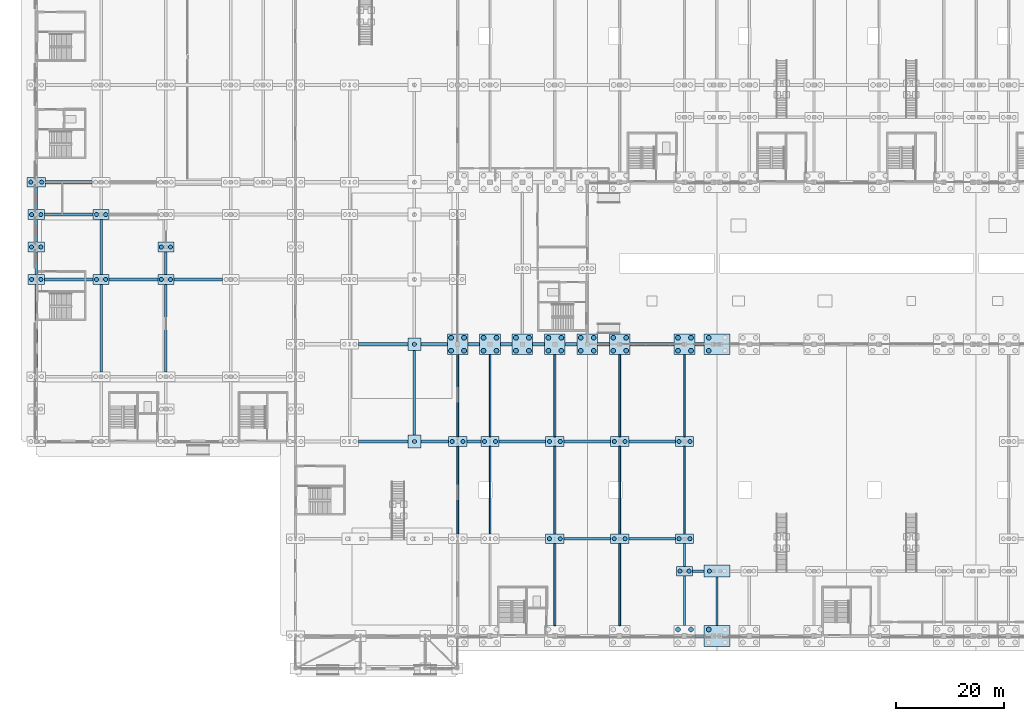
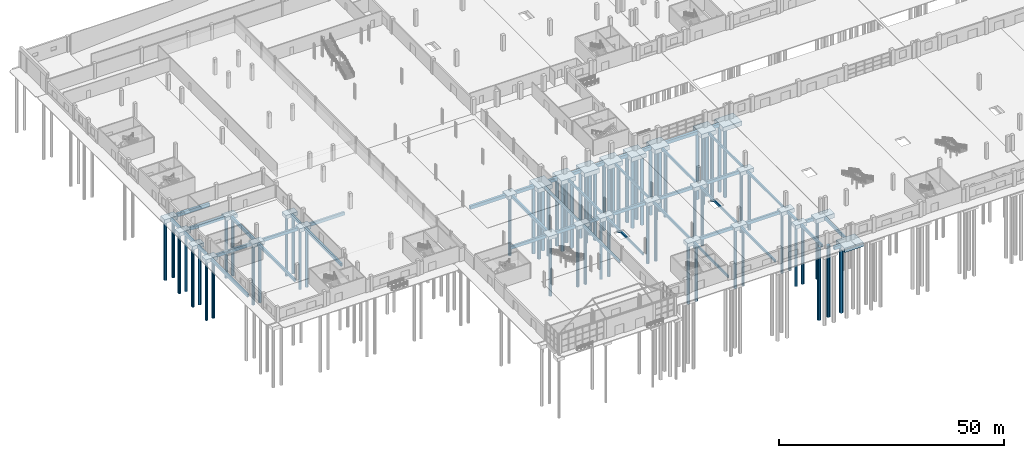
# One storey, part 2 of 77: 77 footings, 70 piles.
"""IFC4 building model written with IfcOpenShell, lengths in metres."""

from ifc_helpers import new_model, si_unit, direction, frame, origin, origin_2d, place, context, subcontext, project, spatial, rectangle, circle, extrude, material, material_profile, profile_set, type_object, element, save


model = new_model("IFC4")

# Units and contexts
model_context = context("Model", 3, precision=1e-05, world=origin(), true_north=direction((0.0, 1.0)))
body_context = subcontext(model_context, "Body", "Model", "MODEL_VIEW")
ifc_project = project(units=[si_unit("LENGTHUNIT", "METRE"), si_unit("AREAUNIT", "SQUARE_METRE"), si_unit("VOLUMEUNIT", "CUBIC_METRE"), si_unit("PLANEANGLEUNIT", "RADIAN"), si_unit("MASSUNIT", "GRAM", prefix="KILO")], contexts=[model_context])

# Site, building, storey
site_placement = place(None, origin())
site = spatial("IfcSite", under=ifc_project, at=site_placement, CompositionType="ELEMENT")
building_placement = place(site_placement, origin())
building = spatial("IfcBuilding", under=site, at=building_placement, Name="Zilviju Railside Exhibition Hall", CompositionType="ELEMENT")
storey_placement = place(building_placement, origin())
storey = spatial("IfcBuildingStorey", under=building, at=storey_placement, Name="L01", CompositionType="ELEMENT", Elevation=0.0)

# Footings
ifc_material = material(Name="Concrete C35/45", Category="concrete")
footing_type_1 = type_object("IfcFootingType", Name="CAP-PC-01", PredefinedType="PILE_CAP", material=ifc_material)
for number, where, z_axis, x_axis, name in (
    (1, (78.0, 54.0, -1.60009765625), (0.0, 0.0, 1.0), (1.0, 0.0, 0.0), "Pile Cap FND-CAP-070"),
    (2, (84.0, 54.0, -1.60009765625), (0.0, 0.0, 1.0), (1.0, 0.0, 0.0), "Pile Cap FND-CAP-071"),
    (3, (90.0, 54.0, -1.60009765625), (0.0, 0.0, 1.0), (1.0, 0.0, 0.0), "Pile Cap FND-CAP-072"),
    (4, (96.0, 54.0, -1.60009765625), (0.0, 0.0, 1.0), (1.0, 0.0, 0.0), "Pile Cap FND-CAP-073"),
    (5, (102.0, 54.0, -1.60009765625), (0.0, 0.0, 1.0), (1.0, 0.0, 0.0), "Pile Cap FND-CAP-074"),
    (6, (108.0, 54.0, -1.60009765625), (0.0, 0.0, 1.0), (1.0, 0.0, 0.0), "Pile Cap FND-CAP-075"),
    (7, (120.0, 54.0, -1.60009765625), (0.0, 0.0, 1.0), (1.0, 0.0, 0.0), "Pile Cap FND-CAP-076"),
):
    element("IfcFooting", number, at=place(storey_placement, frame(where, z_axis=z_axis, x_axis=x_axis)), inside=storey, type_object=footing_type_1, Name=name, PredefinedType="PILE_CAP", context=body_context, shape_type="SweptSolid", body=[
        extrude(rectangle(XDim=3.800048828125, YDim=3.800048828125, at=origin_2d()), origin(), (0.0, 0.0, 1.0), 1.199951171875),
    ])
footing_type_2 = type_object("IfcFootingType", Name="CAP-PC-03", PredefinedType="PILE_CAP", material=ifc_material)
for number, where, z_axis, x_axis, name in (
    (8, (96.0, 18.0, -1.4501953125), (0.0, 0.0, 1.0), (1.0, 0.0, 0.0), "Pile Cap FND-CAP-036"),
    (9, (108.0, 18.0, -1.4501953125), (0.0, 0.0, 1.0), (1.0, 0.0, 0.0), "Pile Cap FND-CAP-037"),
    (10, (120.0, 18.0, -1.4501953125), (0.0, 0.0, 1.0), (1.0, 0.0, 0.0), "Pile Cap FND-CAP-038"),
    (11, (78.0, 36.0, -1.4501953125), (0.0, 0.0, 1.0), (1.0, 0.0, 0.0), "Pile Cap FND-CAP-050"),
    (12, (84.0, 36.0, -1.4501953125), (0.0, 0.0, 1.0), (1.0, 0.0, 0.0), "Pile Cap FND-CAP-051"),
    (13, (96.0, 36.0, -1.4501953125), (0.0, 0.0, 1.0), (1.0, 0.0, 0.0), "Pile Cap FND-CAP-052"),
    (14, (108.0, 36.0, -1.4501953125), (0.0, 0.0, 1.0), (1.0, 0.0, 0.0), "Pile Cap FND-CAP-053"),
    (15, (120.0, 36.0, -1.4501953125), (0.0, 0.0, 1.0), (1.0, 0.0, 0.0), "Pile Cap FND-CAP-054"),
    (16, (0.0, 84.0, -1.4501953125), (0.0, 0.0, 1.0), (1.0, 0.0, 0.0), "Pile Cap FND-CAP-108"),
):
    element("IfcFooting", number, at=place(storey_placement, frame(where, z_axis=z_axis, x_axis=x_axis)), inside=storey, type_object=footing_type_2, Name=name, PredefinedType="PILE_CAP", context=body_context, shape_type="SweptSolid", body=[
        extrude(rectangle(XDim=3.39990234375, YDim=1.800048828125, at=origin_2d()), origin(), (0.0, 0.0, 1.0), 1.050048828125),
    ])
footing_type_3 = type_object("IfcFootingType", Name="CAP-PC-04", PredefinedType="PILE_CAP", material=ifc_material)
for number, where, z_axis, x_axis, name in (
    (17, (120.0, 12.0, -1.39990234375), (0.0, 0.0, 1.0), (1.0, 0.0, 0.0), "Pile Cap FND-CAP-023"),
    (18, (0.0, 66.0, -1.39990234375), (0.0, 0.0, 1.0), (1.0, 0.0, 0.0), "Pile Cap FND-CAP-087"),
    (19, (12.0, 66.0, -1.39990234375), (0.0, 0.0, 1.0), (1.0, 0.0, 0.0), "Pile Cap FND-CAP-088"),
    (20, (24.0, 66.0, -1.39990234375), (0.0, 0.0, 1.0), (1.0, 0.0, 0.0), "Pile Cap FND-CAP-089"),
    (21, (0.0, 72.0, -1.39990234375), (0.0, 0.0, 1.0), (1.0, 0.0, 0.0), "Pile Cap FND-CAP-097"),
    (22, (24.0, 72.0, -1.39990234375), (0.0, 0.0, 1.0), (1.0, 0.0, 0.0), "Pile Cap FND-CAP-098"),
    (23, (0.0, 78.0, -1.39990234375), (0.0, 0.0, 1.0), (1.0, 0.0, 0.0), "Pile Cap FND-CAP-100"),
    (24, (12.0, 78.0, -1.39990234375), (0.0, 0.0, 1.0), (1.0, 0.0, 0.0), "Pile Cap FND-CAP-101"),
):
    element("IfcFooting", number, at=place(storey_placement, frame(where, z_axis=z_axis, x_axis=x_axis)), inside=storey, type_object=footing_type_3, Name=name, PredefinedType="PILE_CAP", context=body_context, shape_type="SweptSolid", body=[
        extrude(rectangle(XDim=3.0, YDim=1.800048828125, at=origin_2d()), origin(), (0.0, 0.0, 1.0), 1.0),
    ])
footing_type_4 = type_object("IfcFootingType", Name="CAP-PC-06", PredefinedType="PILE_CAP", material=ifc_material)
for number, where, z_axis, x_axis, name in (
    (25, (126.0, 0.0, -1.60009765625), (0.0, 0.0, 1.0), (1.0, 0.0, 0.0), "Combined Pile Cap FND-CAP-013"),
    (26, (126.0, 54.0, -1.60009765625), (0.0, 0.0, 1.0), (1.0, 0.0, 0.0), "Combined Pile Cap FND-CAP-077"),
):
    element("IfcFooting", number, at=place(storey_placement, frame(where, z_axis=z_axis, x_axis=x_axis)), inside=storey, type_object=footing_type_4, Name=name, PredefinedType="PILE_CAP", context=body_context, shape_type="SweptSolid", body=[
        extrude(rectangle(XDim=4.800048828125, YDim=3.800048828125, at=origin_2d()), origin(), (0.0, 0.0, 1.0), 1.199951171875),
    ])
footing_type_5 = type_object("IfcFootingType", Name="CAP-PC-07", PredefinedType="PILE_CAP", material=ifc_material)
footing_1_placement = place(storey_placement, frame((126.0, 12.0, -1.550048828125), z_axis=(0.0, 0.0, 1.0), x_axis=(1.0, 0.0, 0.0)))
element("IfcFooting", 27, at=footing_1_placement, inside=storey, type_object=footing_type_5, Name="Combined Pile Cap FND-CAP-024", PredefinedType="PILE_CAP", context=body_context, shape_type="SweptSolid", body=[
    extrude(rectangle(XDim=4.800048828125, YDim=2.199951171875, at=origin_2d()), origin(), (0.0, 0.0, 1.0), 1.14990234375),
])
footing_type_6 = type_object("IfcFootingType", Name="CAP-PC-08", PredefinedType="PILE_CAP", material=ifc_material)
for number, where, z_axis, x_axis, name in (
    (28, (70.0, 36.0, -1.35009765625), (0.0, 0.0, 1.0), (1.0, 0.0, 0.0), "Pile Cap FND-CAP-049"),
    (29, (70.0, 54.0, -1.35009765625), (0.0, 0.0, 1.0), (1.0, 0.0, 0.0), "Pile Cap FND-CAP-069"),
):
    element("IfcFooting", number, at=place(storey_placement, frame(where, z_axis=z_axis, x_axis=x_axis)), inside=storey, type_object=footing_type_6, Name=name, PredefinedType="PILE_CAP", context=body_context, shape_type="SweptSolid", body=[
        extrude(rectangle(XDim=2.39990234375, YDim=2.39990234375, at=origin_2d()), origin(), (0.0, 0.0, 1.0), 0.949951171875),
    ])
ifc_material_profile_1 = material_profile(ifc_material, rectangle(XDim=0.60009765625, YDim=0.89990234375, at=origin_2d()), Name="TIE BEAM 600x900")
ifc_profile_set_1 = profile_set([ifc_material_profile_1], Name="Concrete C35/45")
footing_type_7 = type_object("IfcFootingType", Name="GB-GB-01", PredefinedType="FOOTING_BEAM", material=ifc_profile_set_1)
footing_2_placement = place(storey_placement, frame((121.89990234375, 0.0, -0.85009765625), z_axis=(1.0, 0.0, 0.0), x_axis=(0.0, 1.0, 0.0)))
element("IfcFooting", 30, at=footing_2_placement, inside=storey, type_object=footing_type_7, Name="Ground Tie Beam GB-0011", PredefinedType="FOOTING_BEAM", context=body_context, shape_type="SweptSolid", body=[
    extrude(rectangle(XDim=0.60009765625, YDim=0.89990234375, at=origin_2d()), origin(), (0.0, 0.0, 1.0), 1.7001953125),
])
footing_3_placement = place(storey_placement, frame((59.699951171875, 54.0, -0.85009765625), z_axis=(1.0, 0.0, 0.0), x_axis=(0.0, 1.0, 0.0)))
element("IfcFooting", 31, at=footing_3_placement, inside=storey, type_object=footing_type_7, Name="Ground Tie Beam GB-0057", PredefinedType="FOOTING_BEAM", context=body_context, shape_type="SweptSolid", body=[
    extrude(rectangle(XDim=0.60009765625, YDim=0.89990234375, at=origin_2d()), origin(), (0.0, 0.0, 1.0), 9.10009765625),
])
footing_4_placement = place(storey_placement, frame((71.199951171875, 54.0, -0.85009765625), z_axis=(1.0, 0.0, 0.0), x_axis=(0.0, 1.0, 0.0)))
element("IfcFooting", 32, at=footing_4_placement, inside=storey, type_object=footing_type_7, Name="Ground Tie Beam GB-0058", PredefinedType="FOOTING_BEAM", context=body_context, shape_type="SweptSolid", body=[
    extrude(rectangle(XDim=0.60009765625, YDim=0.89990234375, at=origin_2d()), origin(), (0.0, 0.0, 1.0), 4.900146484375),
])
for number, where, z_axis, x_axis, name in (
    (33, (79.89990234375, 54.0, -0.85009765625), (1.0, 0.0, 0.0), (0.0, 1.0, 0.0), "Ground Tie Beam GB-0059"),
    (34, (85.89990234375, 54.0, -0.85009765625), (1.0, 0.0, 0.0), (0.0, 1.0, 0.0), "Ground Tie Beam GB-0060"),
    (35, (91.89990234375, 54.0, -0.85009765625), (1.0, 0.0, 0.0), (0.0, 1.0, 0.0), "Ground Tie Beam GB-0061"),
    (36, (97.89990234375, 54.0, -0.85009765625), (1.0, 0.0, 0.0), (0.0, 1.0, 0.0), "Ground Tie Beam GB-0062"),
    (37, (103.89990234375, 54.0, -0.85009765625), (1.0, 0.0, 0.0), (0.0, 1.0, 0.0), "Ground Tie Beam GB-0063"),
):
    element("IfcFooting", number, at=place(storey_placement, frame(where, z_axis=z_axis, x_axis=x_axis)), inside=storey, type_object=footing_type_7, Name=name, PredefinedType="FOOTING_BEAM", context=body_context, shape_type="SweptSolid", body=[
        extrude(rectangle(XDim=0.60009765625, YDim=0.89990234375, at=origin_2d()), origin(), (0.0, 0.0, 1.0), 2.2001953125),
    ])
footing_5_placement = place(storey_placement, frame((109.89990234375, 54.0, -0.85009765625), z_axis=(1.0, 0.0, 0.0), x_axis=(0.0, 1.0, 0.0)))
element("IfcFooting", 38, at=footing_5_placement, inside=storey, type_object=footing_type_7, Name="Ground Tie Beam GB-0064", PredefinedType="FOOTING_BEAM", context=body_context, shape_type="SweptSolid", body=[
    extrude(rectangle(XDim=0.60009765625, YDim=0.89990234375, at=origin_2d()), origin(), (0.0, 0.0, 1.0), 8.2001953125),
])
footing_6_placement = place(storey_placement, frame((121.89990234375, 54.0, -0.85009765625), z_axis=(1.0, 0.0, 0.0), x_axis=(0.0, 1.0, 0.0)))
element("IfcFooting", 39, at=footing_6_placement, inside=storey, type_object=footing_type_7, Name="Ground Tie Beam GB-0065", PredefinedType="FOOTING_BEAM", context=body_context, shape_type="SweptSolid", body=[
    extrude(rectangle(XDim=0.60009765625, YDim=0.89990234375, at=origin_2d()), origin(), (0.0, 0.0, 1.0), 1.7001953125),
])
footing_7_placement = place(storey_placement, frame((1.699951171875, 84.0, -0.85009765625), z_axis=(1.0, 0.0, 0.0), x_axis=(0.0, 1.0, 0.0)))
element("IfcFooting", 40, at=footing_7_placement, inside=storey, type_object=footing_type_7, Name="Ground Tie Beam GB-0090", PredefinedType="FOOTING_BEAM", context=body_context, shape_type="SweptSolid", body=[
    extrude(rectangle(XDim=0.60009765625, YDim=0.89990234375, at=origin_2d()), origin(), (0.0, 0.0, 1.0), 8.60009765625),
])
ifc_material_profile_2 = material_profile(ifc_material, rectangle(XDim=0.5, YDim=0.85009765625, at=origin_2d()), Name="TIE BEAM 500x850")
ifc_profile_set_2 = profile_set([ifc_material_profile_2], Name="Concrete C35/45")
footing_type_8 = type_object("IfcFootingType", Name="GB-GB-02", PredefinedType="FOOTING_BEAM", material=ifc_profile_set_2)
footing_8_placement = place(storey_placement, frame((121.5, 12.0, -0.824951171875), z_axis=(1.0, 0.0, 0.0), x_axis=(0.0, 1.0, 0.0)))
element("IfcFooting", 41, at=footing_8_placement, inside=storey, type_object=footing_type_8, Name="Ground Tie Beam GB-0021", PredefinedType="FOOTING_BEAM", context=body_context, shape_type="SweptSolid", body=[
    extrude(rectangle(XDim=0.5, YDim=0.85009765625, at=origin_2d()), origin(), (0.0, 0.0, 1.0), 2.10009765625),
])
for number, where, z_axis, x_axis, name in (
    (42, (97.699951171875, 18.0, -0.824951171875), (1.0, 0.0, 0.0), (0.0, 1.0, 0.0), "Ground Tie Beam GB-0033"),
    (43, (109.699951171875, 18.0, -0.824951171875), (1.0, 0.0, 0.0), (0.0, 1.0, 0.0), "Ground Tie Beam GB-0034"),
):
    element("IfcFooting", number, at=place(storey_placement, frame(where, z_axis=z_axis, x_axis=x_axis)), inside=storey, type_object=footing_type_8, Name=name, PredefinedType="FOOTING_BEAM", context=body_context, shape_type="SweptSolid", body=[
        extrude(rectangle(XDim=0.5, YDim=0.85009765625, at=origin_2d()), origin(), (0.0, 0.0, 1.0), 8.60009765625),
    ])
footing_9_placement = place(storey_placement, frame((59.699951171875, 36.0, -0.824951171875), z_axis=(1.0, 0.0, 0.0), x_axis=(0.0, 1.0, 0.0)))
element("IfcFooting", 44, at=footing_9_placement, inside=storey, type_object=footing_type_8, Name="Ground Tie Beam GB-0043", PredefinedType="FOOTING_BEAM", context=body_context, shape_type="SweptSolid", body=[
    extrude(rectangle(XDim=0.5, YDim=0.85009765625, at=origin_2d()), origin(), (0.0, 0.0, 1.0), 9.10009765625),
])
footing_10_placement = place(storey_placement, frame((71.199951171875, 36.0, -0.824951171875), z_axis=(1.0, 0.0, 0.0), x_axis=(0.0, 1.0, 0.0)))
element("IfcFooting", 45, at=footing_10_placement, inside=storey, type_object=footing_type_8, Name="Ground Tie Beam GB-0044", PredefinedType="FOOTING_BEAM", context=body_context, shape_type="SweptSolid", body=[
    extrude(rectangle(XDim=0.5, YDim=0.85009765625, at=origin_2d()), origin(), (0.0, 0.0, 1.0), 5.10009765625),
])
footing_11_placement = place(storey_placement, frame((79.699951171875, 36.0, -0.824951171875), z_axis=(1.0, 0.0, 0.0), x_axis=(0.0, 1.0, 0.0)))
element("IfcFooting", 46, at=footing_11_placement, inside=storey, type_object=footing_type_8, Name="Ground Tie Beam GB-0045", PredefinedType="FOOTING_BEAM", context=body_context, shape_type="SweptSolid", body=[
    extrude(rectangle(XDim=0.5, YDim=0.85009765625, at=origin_2d()), origin(), (0.0, 0.0, 1.0), 2.60009765625),
])
for number, where, z_axis, x_axis, name in (
    (47, (85.699951171875, 36.0, -0.824951171875), (1.0, 0.0, 0.0), (0.0, 1.0, 0.0), "Ground Tie Beam GB-0046"),
    (48, (97.699951171875, 36.0, -0.824951171875), (1.0, 0.0, 0.0), (0.0, 1.0, 0.0), "Ground Tie Beam GB-0047"),
    (49, (109.699951171875, 36.0, -0.824951171875), (1.0, 0.0, 0.0), (0.0, 1.0, 0.0), "Ground Tie Beam GB-0048"),
):
    element("IfcFooting", number, at=place(storey_placement, frame(where, z_axis=z_axis, x_axis=x_axis)), inside=storey, type_object=footing_type_8, Name=name, PredefinedType="FOOTING_BEAM", context=body_context, shape_type="SweptSolid", body=[
        extrude(rectangle(XDim=0.5, YDim=0.85009765625, at=origin_2d()), origin(), (0.0, 0.0, 1.0), 8.60009765625),
    ])
for number, where, z_axis, x_axis, name in (
    (50, (1.5, 66.0, -0.824951171875), (1.0, 0.0, 0.0), (0.0, 1.0, 0.0), "Ground Tie Beam GB-0075"),
    (51, (13.5, 66.0, -0.824951171875), (1.0, 0.0, 0.0), (0.0, 1.0, 0.0), "Ground Tie Beam GB-0076"),
    (52, (25.5, 66.0, -0.824951171875), (1.0, 0.0, 0.0), (0.0, 1.0, 0.0), "Ground Tie Beam GB-0077"),
    (53, (1.5, 78.0, -0.824951171875), (1.0, 0.0, 0.0), (0.0, 1.0, 0.0), "Ground Tie Beam GB-0083"),
):
    element("IfcFooting", number, at=place(storey_placement, frame(where, z_axis=z_axis, x_axis=x_axis)), inside=storey, type_object=footing_type_8, Name=name, PredefinedType="FOOTING_BEAM", context=body_context, shape_type="SweptSolid", body=[
        extrude(rectangle(XDim=0.5, YDim=0.85009765625, at=origin_2d()), origin(), (0.0, 0.0, 1.0), 9.0),
    ])
ifc_material_profile_3 = material_profile(ifc_material, rectangle(XDim=0.449951171875, YDim=0.800048828125, at=origin_2d()), Name="TIE BEAM 450x800")
ifc_profile_set_3 = profile_set([ifc_material_profile_3], Name="Concrete C35/45")
footing_type_9 = type_object("IfcFootingType", Name="GB-GB-03", PredefinedType="FOOTING_BEAM", material=ifc_profile_set_3)
footing_12_placement = place(storey_placement, frame((0.0, 48.89990234375, -0.800048828125), z_axis=(0.0, 1.0, 0.0), x_axis=(-1.0, 0.0, 0.0)))
element("IfcFooting", 54, at=footing_12_placement, inside=storey, type_object=footing_type_9, Name="Ground Tie Beam GB-0211", PredefinedType="FOOTING_BEAM", context=body_context, shape_type="SweptSolid", body=[
    extrude(rectangle(XDim=0.449951171875, YDim=0.800048828125, at=origin_2d()), origin(), (0.0, 0.0, 1.0), 16.2001953125),
])
for number, where, z_axis, x_axis, name in (
    (55, (0.0, 66.89990234375, -0.800048828125), (0.0, 1.0, 0.0), (-1.0, 0.0, 0.0), "Ground Tie Beam GB-0212"),
    (56, (0.0, 72.89990234375, -0.800048828125), (0.0, 1.0, 0.0), (-1.0, 0.0, 0.0), "Ground Tie Beam GB-0213"),
    (57, (0.0, 78.89990234375, -0.800048828125), (0.0, 1.0, 0.0), (-1.0, 0.0, 0.0), "Ground Tie Beam GB-0214"),
):
    element("IfcFooting", number, at=place(storey_placement, frame(where, z_axis=z_axis, x_axis=x_axis)), inside=storey, type_object=footing_type_9, Name=name, PredefinedType="FOOTING_BEAM", context=body_context, shape_type="SweptSolid", body=[
        extrude(rectangle(XDim=0.449951171875, YDim=0.800048828125, at=origin_2d()), origin(), (0.0, 0.0, 1.0), 4.2001953125),
    ])
footing_13_placement = place(storey_placement, frame((12.0, 48.89990234375, -0.800048828125), z_axis=(0.0, 1.0, 0.0), x_axis=(-1.0, 0.0, 0.0)))
element("IfcFooting", 58, at=footing_13_placement, inside=storey, type_object=footing_type_9, Name="Ground Tie Beam GB-0221", PredefinedType="FOOTING_BEAM", context=body_context, shape_type="SweptSolid", body=[
    extrude(rectangle(XDim=0.449951171875, YDim=0.800048828125, at=origin_2d()), origin(), (0.0, 0.0, 1.0), 16.2001953125),
])
footing_14_placement = place(storey_placement, frame((12.0, 66.89990234375, -0.800048828125), z_axis=(0.0, 1.0, 0.0), x_axis=(-1.0, 0.0, 0.0)))
element("IfcFooting", 59, at=footing_14_placement, inside=storey, type_object=footing_type_9, Name="Ground Tie Beam GB-0222", PredefinedType="FOOTING_BEAM", context=body_context, shape_type="SweptSolid", body=[
    extrude(rectangle(XDim=0.449951171875, YDim=0.800048828125, at=origin_2d()), origin(), (0.0, 0.0, 1.0), 10.2001953125),
])
footing_15_placement = place(storey_placement, frame((24.0, 48.89990234375, -0.800048828125), z_axis=(0.0, 1.0, 0.0), x_axis=(-1.0, 0.0, 0.0)))
element("IfcFooting", 60, at=footing_15_placement, inside=storey, type_object=footing_type_9, Name="Ground Tie Beam GB-0231", PredefinedType="FOOTING_BEAM", context=body_context, shape_type="SweptSolid", body=[
    extrude(rectangle(XDim=0.449951171875, YDim=0.800048828125, at=origin_2d()), origin(), (0.0, 0.0, 1.0), 16.2001953125),
])
footing_16_placement = place(storey_placement, frame((24.0, 66.89990234375, -0.800048828125), z_axis=(0.0, 1.0, 0.0), x_axis=(-1.0, 0.0, 0.0)))
element("IfcFooting", 61, at=footing_16_placement, inside=storey, type_object=footing_type_9, Name="Ground Tie Beam GB-0232", PredefinedType="FOOTING_BEAM", context=body_context, shape_type="SweptSolid", body=[
    extrude(rectangle(XDim=0.449951171875, YDim=0.800048828125, at=origin_2d()), origin(), (0.0, 0.0, 1.0), 4.2001953125),
])
footing_17_placement = place(storey_placement, frame((70.0, 37.199951171875, -0.800048828125), z_axis=(0.0, 1.0, 0.0), x_axis=(-1.0, 0.0, 0.0)))
element("IfcFooting", 62, at=footing_17_placement, inside=storey, type_object=footing_type_9, Name="Ground Tie Beam GB-0275", PredefinedType="FOOTING_BEAM", context=body_context, shape_type="SweptSolid", body=[
    extrude(rectangle(XDim=0.449951171875, YDim=0.800048828125, at=origin_2d()), origin(), (0.0, 0.0, 1.0), 15.60009765625),
])
ifc_material_profile_4 = material_profile(ifc_material, rectangle(XDim=0.39990234375, YDim=0.75, at=origin_2d()), Name="TIE BEAM 400x750")
ifc_profile_set_4 = profile_set([ifc_material_profile_4], Name="Concrete C35/45")
footing_type_10 = type_object("IfcFootingType", Name="GB-GB-04", PredefinedType="FOOTING_BEAM", material=ifc_profile_set_4)
footing_18_placement = place(storey_placement, frame((120.0, 1.89990234375, -0.77490234375), z_axis=(0.0, 1.0, 0.0), x_axis=(-1.0, 0.0, 0.0)))
element("IfcFooting", 63, at=footing_18_placement, inside=storey, type_object=footing_type_10, Name="Ground Tie Beam GB-0317", PredefinedType="FOOTING_BEAM", context=body_context, shape_type="SweptSolid", body=[
    extrude(rectangle(XDim=0.39990234375, YDim=0.75, at=origin_2d()), origin(), (0.0, 0.0, 1.0), 9.2001953125),
])
footing_19_placement = place(storey_placement, frame((120.0, 12.89990234375, -0.77490234375), z_axis=(0.0, 1.0, 0.0), x_axis=(-1.0, 0.0, 0.0)))
element("IfcFooting", 64, at=footing_19_placement, inside=storey, type_object=footing_type_10, Name="Ground Tie Beam GB-0318", PredefinedType="FOOTING_BEAM", context=body_context, shape_type="SweptSolid", body=[
    extrude(rectangle(XDim=0.39990234375, YDim=0.75, at=origin_2d()), origin(), (0.0, 0.0, 1.0), 4.2001953125),
])
footing_20_placement = place(storey_placement, frame((126.0, 1.89990234375, -0.77490234375), z_axis=(0.0, 1.0, 0.0), x_axis=(-1.0, 0.0, 0.0)))
element("IfcFooting", 65, at=footing_20_placement, inside=storey, type_object=footing_type_10, Name="Ground Tie Beam GB-0326", PredefinedType="FOOTING_BEAM", context=body_context, shape_type="SweptSolid", body=[
    extrude(rectangle(XDim=0.39990234375, YDim=0.75, at=origin_2d()), origin(), (0.0, 0.0, 1.0), 9.0),
])
ifc_material_profile_5 = material_profile(ifc_material, rectangle(XDim=0.35009765625, YDim=0.64990234375, at=origin_2d()), Name="TIE BEAM 350x650")
ifc_profile_set_5 = profile_set([ifc_material_profile_5], Name="Concrete C35/45")
footing_type_11 = type_object("IfcFootingType", Name="GB-GB-06", PredefinedType="FOOTING_BEAM", material=ifc_profile_set_5)
footing_21_placement = place(storey_placement, frame((78.0, 18.89990234375, -0.72509765625), z_axis=(0.0, 1.0, 0.0), x_axis=(-1.0, 0.0, 0.0)))
element("IfcFooting", 66, at=footing_21_placement, inside=storey, type_object=footing_type_11, Name="Ground Tie Beam GB-0284", PredefinedType="FOOTING_BEAM", context=body_context, shape_type="SweptSolid", body=[
    extrude(rectangle(XDim=0.35009765625, YDim=0.64990234375, at=origin_2d()), origin(), (0.0, 0.0, 1.0), 16.2001953125),
])
footing_22_placement = place(storey_placement, frame((78.0, 36.89990234375, -0.72509765625), z_axis=(0.0, 1.0, 0.0), x_axis=(-1.0, 0.0, 0.0)))
element("IfcFooting", 67, at=footing_22_placement, inside=storey, type_object=footing_type_11, Name="Ground Tie Beam GB-0285", PredefinedType="FOOTING_BEAM", context=body_context, shape_type="SweptSolid", body=[
    extrude(rectangle(XDim=0.35009765625, YDim=0.64990234375, at=origin_2d()), origin(), (0.0, 0.0, 1.0), 15.2001953125),
])
footing_23_placement = place(storey_placement, frame((84.0, 18.89990234375, -0.72509765625), z_axis=(0.0, 1.0, 0.0), x_axis=(-1.0, 0.0, 0.0)))
element("IfcFooting", 68, at=footing_23_placement, inside=storey, type_object=footing_type_11, Name="Ground Tie Beam GB-0293", PredefinedType="FOOTING_BEAM", context=body_context, shape_type="SweptSolid", body=[
    extrude(rectangle(XDim=0.35009765625, YDim=0.64990234375, at=origin_2d()), origin(), (0.0, 0.0, 1.0), 16.2001953125),
])
for number, where, z_axis, x_axis, name in (
    (69, (84.0, 36.89990234375, -0.72509765625), (0.0, 1.0, 0.0), (-1.0, 0.0, 0.0), "Ground Tie Beam GB-0294"),
    (70, (96.0, 1.89990234375, -0.72509765625), (0.0, 1.0, 0.0), (-1.0, 0.0, 0.0), "Ground Tie Beam GB-0301"),
):
    element("IfcFooting", number, at=place(storey_placement, frame(where, z_axis=z_axis, x_axis=x_axis)), inside=storey, type_object=footing_type_11, Name=name, PredefinedType="FOOTING_BEAM", context=body_context, shape_type="SweptSolid", body=[
        extrude(rectangle(XDim=0.35009765625, YDim=0.64990234375, at=origin_2d()), origin(), (0.0, 0.0, 1.0), 15.2001953125),
    ])
footing_24_placement = place(storey_placement, frame((96.0, 18.89990234375, -0.72509765625), z_axis=(0.0, 1.0, 0.0), x_axis=(-1.0, 0.0, 0.0)))
element("IfcFooting", 71, at=footing_24_placement, inside=storey, type_object=footing_type_11, Name="Ground Tie Beam GB-0302", PredefinedType="FOOTING_BEAM", context=body_context, shape_type="SweptSolid", body=[
    extrude(rectangle(XDim=0.35009765625, YDim=0.64990234375, at=origin_2d()), origin(), (0.0, 0.0, 1.0), 16.2001953125),
])
for number, where, z_axis, x_axis, name in (
    (72, (96.0, 36.89990234375, -0.72509765625), (0.0, 1.0, 0.0), (-1.0, 0.0, 0.0), "Ground Tie Beam GB-0303"),
    (73, (108.0, 1.89990234375, -0.72509765625), (0.0, 1.0, 0.0), (-1.0, 0.0, 0.0), "Ground Tie Beam GB-0310"),
):
    element("IfcFooting", number, at=place(storey_placement, frame(where, z_axis=z_axis, x_axis=x_axis)), inside=storey, type_object=footing_type_11, Name=name, PredefinedType="FOOTING_BEAM", context=body_context, shape_type="SweptSolid", body=[
        extrude(rectangle(XDim=0.35009765625, YDim=0.64990234375, at=origin_2d()), origin(), (0.0, 0.0, 1.0), 15.2001953125),
    ])
footing_25_placement = place(storey_placement, frame((108.0, 18.89990234375, -0.72509765625), z_axis=(0.0, 1.0, 0.0), x_axis=(-1.0, 0.0, 0.0)))
element("IfcFooting", 74, at=footing_25_placement, inside=storey, type_object=footing_type_11, Name="Ground Tie Beam GB-0311", PredefinedType="FOOTING_BEAM", context=body_context, shape_type="SweptSolid", body=[
    extrude(rectangle(XDim=0.35009765625, YDim=0.64990234375, at=origin_2d()), origin(), (0.0, 0.0, 1.0), 16.2001953125),
])
footing_26_placement = place(storey_placement, frame((108.0, 36.89990234375, -0.72509765625), z_axis=(0.0, 1.0, 0.0), x_axis=(-1.0, 0.0, 0.0)))
element("IfcFooting", 75, at=footing_26_placement, inside=storey, type_object=footing_type_11, Name="Ground Tie Beam GB-0312", PredefinedType="FOOTING_BEAM", context=body_context, shape_type="SweptSolid", body=[
    extrude(rectangle(XDim=0.35009765625, YDim=0.64990234375, at=origin_2d()), origin(), (0.0, 0.0, 1.0), 15.2001953125),
])
footing_27_placement = place(storey_placement, frame((120.0, 18.89990234375, -0.72509765625), z_axis=(0.0, 1.0, 0.0), x_axis=(-1.0, 0.0, 0.0)))
element("IfcFooting", 76, at=footing_27_placement, inside=storey, type_object=footing_type_11, Name="Ground Tie Beam GB-0319", PredefinedType="FOOTING_BEAM", context=body_context, shape_type="SweptSolid", body=[
    extrude(rectangle(XDim=0.35009765625, YDim=0.64990234375, at=origin_2d()), origin(), (0.0, 0.0, 1.0), 16.2001953125),
])
footing_28_placement = place(storey_placement, frame((120.0, 36.89990234375, -0.72509765625), z_axis=(0.0, 1.0, 0.0), x_axis=(-1.0, 0.0, 0.0)))
element("IfcFooting", 77, at=footing_28_placement, inside=storey, type_object=footing_type_11, Name="Ground Tie Beam GB-0320", PredefinedType="FOOTING_BEAM", context=body_context, shape_type="SweptSolid", body=[
    extrude(rectangle(XDim=0.35009765625, YDim=0.64990234375, at=origin_2d()), origin(), (0.0, 0.0, 1.0), 15.2001953125),
])

# Piles
ifc_material_profile_6 = material_profile(ifc_material, circle(Radius=0.375, at=origin_2d()), Name="CFA PILE D750")
ifc_profile_set_6 = profile_set([ifc_material_profile_6], Name="Concrete C35/45")
pile_type_1 = type_object("IfcPileType", Name="PILE-PL-750", PredefinedType="BORED", material=ifc_profile_set_6)
for number, where, z_axis, x_axis, name in (
    (78, (119.14990234375, 12.0, -0.5), (0.0, 0.0, -1.0), (1.0, 0.0, 0.0), "Bored CFA Pile P-0069"),
    (79, (120.85009765625, 12.0, -0.5), (0.0, 0.0, -1.0), (1.0, 0.0, 0.0), "Bored CFA Pile P-0070"),
    (80, (124.60009765625, 12.0, -0.5), (0.0, 0.0, -1.0), (1.0, 0.0, 0.0), "Bored CFA Pile P-0071"),
    (81, (95.0, 18.0, -0.5), (0.0, 0.0, -1.0), (1.0, 0.0, 0.0), "Bored CFA Pile P-0095"),
    (82, (97.0, 18.0, -0.5), (0.0, 0.0, -1.0), (1.0, 0.0, 0.0), "Bored CFA Pile P-0096"),
    (83, (107.0, 18.0, -0.5), (0.0, 0.0, -1.0), (1.0, 0.0, 0.0), "Bored CFA Pile P-0097"),
    (84, (109.0, 18.0, -0.5), (0.0, 0.0, -1.0), (1.0, 0.0, 0.0), "Bored CFA Pile P-0098"),
    (85, (119.0, 18.0, -0.5), (0.0, 0.0, -1.0), (1.0, 0.0, 0.0), "Bored CFA Pile P-0099"),
    (86, (121.0, 18.0, -0.5), (0.0, 0.0, -1.0), (1.0, 0.0, 0.0), "Bored CFA Pile P-0100"),
    (87, (70.0, 36.0, -0.5), (0.0, 0.0, -1.0), (1.0, 0.0, 0.0), "Bored CFA Pile P-0121"),
    (88, (77.0, 36.0, -0.5), (0.0, 0.0, -1.0), (1.0, 0.0, 0.0), "Bored CFA Pile P-0122"),
    (89, (79.0, 36.0, -0.5), (0.0, 0.0, -1.0), (1.0, 0.0, 0.0), "Bored CFA Pile P-0123"),
    (90, (83.0, 36.0, -0.5), (0.0, 0.0, -1.0), (1.0, 0.0, 0.0), "Bored CFA Pile P-0124"),
    (91, (85.0, 36.0, -0.5), (0.0, 0.0, -1.0), (1.0, 0.0, 0.0), "Bored CFA Pile P-0125"),
    (92, (95.0, 36.0, -0.5), (0.0, 0.0, -1.0), (1.0, 0.0, 0.0), "Bored CFA Pile P-0126"),
    (93, (97.0, 36.0, -0.5), (0.0, 0.0, -1.0), (1.0, 0.0, 0.0), "Bored CFA Pile P-0127"),
    (94, (107.0, 36.0, -0.5), (0.0, 0.0, -1.0), (1.0, 0.0, 0.0), "Bored CFA Pile P-0128"),
    (95, (109.0, 36.0, -0.5), (0.0, 0.0, -1.0), (1.0, 0.0, 0.0), "Bored CFA Pile P-0129"),
    (96, (119.0, 36.0, -0.5), (0.0, 0.0, -1.0), (1.0, 0.0, 0.0), "Bored CFA Pile P-0130"),
    (97, (121.0, 36.0, -0.5), (0.0, 0.0, -1.0), (1.0, 0.0, 0.0), "Bored CFA Pile P-0131"),
    (98, (70.0, 54.0, -0.5), (0.0, 0.0, -1.0), (1.0, 0.0, 0.0), "Bored CFA Pile P-0160"),
    (99, (-0.85009765625, 66.0, -0.5), (0.0, 0.0, -1.0), (1.0, 0.0, 0.0), "Bored CFA Pile P-0229"),
    (100, (0.85009765625, 66.0, -0.5), (0.0, 0.0, -1.0), (1.0, 0.0, 0.0), "Bored CFA Pile P-0230"),
    (101, (11.14990234375, 66.0, -0.5), (0.0, 0.0, -1.0), (1.0, 0.0, 0.0), "Bored CFA Pile P-0231"),
    (102, (12.85009765625, 66.0, -0.5), (0.0, 0.0, -1.0), (1.0, 0.0, 0.0), "Bored CFA Pile P-0232"),
    (103, (23.14990234375, 66.0, -0.5), (0.0, 0.0, -1.0), (1.0, 0.0, 0.0), "Bored CFA Pile P-0233"),
    (104, (24.85009765625, 66.0, -0.5), (0.0, 0.0, -1.0), (1.0, 0.0, 0.0), "Bored CFA Pile P-0234"),
    (105, (-0.85009765625, 72.0, -0.5), (0.0, 0.0, -1.0), (1.0, 0.0, 0.0), "Bored CFA Pile P-0248"),
    (106, (0.85009765625, 72.0, -0.5), (0.0, 0.0, -1.0), (1.0, 0.0, 0.0), "Bored CFA Pile P-0249"),
    (107, (23.14990234375, 72.0, -0.5), (0.0, 0.0, -1.0), (1.0, 0.0, 0.0), "Bored CFA Pile P-0250"),
    (108, (24.85009765625, 72.0, -0.5), (0.0, 0.0, -1.0), (1.0, 0.0, 0.0), "Bored CFA Pile P-0251"),
    (109, (-0.85009765625, 78.0, -0.5), (0.0, 0.0, -1.0), (1.0, 0.0, 0.0), "Bored CFA Pile P-0254"),
    (110, (0.85009765625, 78.0, -0.5), (0.0, 0.0, -1.0), (1.0, 0.0, 0.0), "Bored CFA Pile P-0255"),
    (111, (11.14990234375, 78.0, -0.5), (0.0, 0.0, -1.0), (1.0, 0.0, 0.0), "Bored CFA Pile P-0256"),
    (112, (12.85009765625, 78.0, -0.5), (0.0, 0.0, -1.0), (1.0, 0.0, 0.0), "Bored CFA Pile P-0257"),
    (113, (-1.0, 84.0, -0.5), (0.0, 0.0, -1.0), (1.0, 0.0, 0.0), "Bored CFA Pile P-0269"),
    (114, (1.0, 84.0, -0.5), (0.0, 0.0, -1.0), (1.0, 0.0, 0.0), "Bored CFA Pile P-0270"),
):
    element("IfcPile", number, at=place(storey_placement, frame(where, z_axis=z_axis, x_axis=x_axis)), inside=storey, type_object=pile_type_1, Name=name, PredefinedType="BORED", context=body_context, shape_type="SweptSolid", body=[
        extrude(circle(Radius=0.375, at=origin_2d()), origin(), (0.0, 0.0, 1.0), 16.89990234375),
    ])
ifc_material_profile_7 = material_profile(ifc_material, circle(Radius=0.449951171875, at=origin_2d()), Name="CFA PILE D900")
ifc_profile_set_7 = profile_set([ifc_material_profile_7], Name="Concrete C35/45")
pile_type_2 = type_object("IfcPileType", Name="PILE-PL-900", PredefinedType="BORED", material=ifc_profile_set_7)
for number, where, z_axis, x_axis, name in (
    (115, (118.800048828125, 1.199951171875, -0.5), (0.0, 0.0, -1.0), (1.0, 0.0, 0.0), "Bored CFA Pile P-0027"),
    (116, (121.199951171875, 1.199951171875, -0.5), (0.0, 0.0, -1.0), (1.0, 0.0, 0.0), "Bored CFA Pile P-0028"),
    (117, (124.5, 1.199951171875, -0.5), (0.0, 0.0, -1.0), (1.0, 0.0, 0.0), "Bored CFA Pile P-0031"),
    (118, (76.800048828125, 52.800048828125, -0.5), (0.0, 0.0, -1.0), (1.0, 0.0, 0.0), "Bored CFA Pile P-0161"),
    (119, (79.199951171875, 52.800048828125, -0.5), (0.0, 0.0, -1.0), (1.0, 0.0, 0.0), "Bored CFA Pile P-0162"),
    (120, (76.800048828125, 55.199951171875, -0.5), (0.0, 0.0, -1.0), (1.0, 0.0, 0.0), "Bored CFA Pile P-0163"),
    (121, (79.199951171875, 55.199951171875, -0.5), (0.0, 0.0, -1.0), (1.0, 0.0, 0.0), "Bored CFA Pile P-0164"),
    (122, (82.800048828125, 52.800048828125, -0.5), (0.0, 0.0, -1.0), (1.0, 0.0, 0.0), "Bored CFA Pile P-0165"),
    (123, (85.199951171875, 52.800048828125, -0.5), (0.0, 0.0, -1.0), (1.0, 0.0, 0.0), "Bored CFA Pile P-0166"),
    (124, (82.800048828125, 55.199951171875, -0.5), (0.0, 0.0, -1.0), (1.0, 0.0, 0.0), "Bored CFA Pile P-0167"),
    (125, (85.199951171875, 55.199951171875, -0.5), (0.0, 0.0, -1.0), (1.0, 0.0, 0.0), "Bored CFA Pile P-0168"),
    (126, (88.800048828125, 52.800048828125, -0.5), (0.0, 0.0, -1.0), (1.0, 0.0, 0.0), "Bored CFA Pile P-0169"),
    (127, (91.199951171875, 52.800048828125, -0.5), (0.0, 0.0, -1.0), (1.0, 0.0, 0.0), "Bored CFA Pile P-0170"),
    (128, (88.800048828125, 55.199951171875, -0.5), (0.0, 0.0, -1.0), (1.0, 0.0, 0.0), "Bored CFA Pile P-0171"),
    (129, (91.199951171875, 55.199951171875, -0.5), (0.0, 0.0, -1.0), (1.0, 0.0, 0.0), "Bored CFA Pile P-0172"),
    (130, (94.800048828125, 52.800048828125, -0.5), (0.0, 0.0, -1.0), (1.0, 0.0, 0.0), "Bored CFA Pile P-0173"),
    (131, (97.199951171875, 52.800048828125, -0.5), (0.0, 0.0, -1.0), (1.0, 0.0, 0.0), "Bored CFA Pile P-0174"),
    (132, (94.800048828125, 55.199951171875, -0.5), (0.0, 0.0, -1.0), (1.0, 0.0, 0.0), "Bored CFA Pile P-0175"),
    (133, (97.199951171875, 55.199951171875, -0.5), (0.0, 0.0, -1.0), (1.0, 0.0, 0.0), "Bored CFA Pile P-0176"),
    (134, (100.800048828125, 52.800048828125, -0.5), (0.0, 0.0, -1.0), (1.0, 0.0, 0.0), "Bored CFA Pile P-0177"),
    (135, (103.199951171875, 52.800048828125, -0.5), (0.0, 0.0, -1.0), (1.0, 0.0, 0.0), "Bored CFA Pile P-0178"),
    (136, (100.800048828125, 55.199951171875, -0.5), (0.0, 0.0, -1.0), (1.0, 0.0, 0.0), "Bored CFA Pile P-0179"),
    (137, (103.199951171875, 55.199951171875, -0.5), (0.0, 0.0, -1.0), (1.0, 0.0, 0.0), "Bored CFA Pile P-0180"),
    (138, (106.800048828125, 52.800048828125, -0.5), (0.0, 0.0, -1.0), (1.0, 0.0, 0.0), "Bored CFA Pile P-0181"),
    (139, (109.199951171875, 52.800048828125, -0.5), (0.0, 0.0, -1.0), (1.0, 0.0, 0.0), "Bored CFA Pile P-0182"),
    (140, (106.800048828125, 55.199951171875, -0.5), (0.0, 0.0, -1.0), (1.0, 0.0, 0.0), "Bored CFA Pile P-0183"),
    (141, (109.199951171875, 55.199951171875, -0.5), (0.0, 0.0, -1.0), (1.0, 0.0, 0.0), "Bored CFA Pile P-0184"),
    (142, (118.800048828125, 52.800048828125, -0.5), (0.0, 0.0, -1.0), (1.0, 0.0, 0.0), "Bored CFA Pile P-0185"),
    (143, (121.199951171875, 52.800048828125, -0.5), (0.0, 0.0, -1.0), (1.0, 0.0, 0.0), "Bored CFA Pile P-0186"),
    (144, (118.800048828125, 55.199951171875, -0.5), (0.0, 0.0, -1.0), (1.0, 0.0, 0.0), "Bored CFA Pile P-0187"),
    (145, (121.199951171875, 55.199951171875, -0.5), (0.0, 0.0, -1.0), (1.0, 0.0, 0.0), "Bored CFA Pile P-0188"),
    (146, (124.5, 52.800048828125, -0.5), (0.0, 0.0, -1.0), (1.0, 0.0, 0.0), "Bored CFA Pile P-0189"),
    (147, (124.5, 55.199951171875, -0.5), (0.0, 0.0, -1.0), (1.0, 0.0, 0.0), "Bored CFA Pile P-0191"),
):
    element("IfcPile", number, at=place(storey_placement, frame(where, z_axis=z_axis, x_axis=x_axis)), inside=storey, type_object=pile_type_2, Name=name, PredefinedType="BORED", context=body_context, shape_type="SweptSolid", body=[
        extrude(circle(Radius=0.449951171875, at=origin_2d()), origin(), (0.0, 0.0, 1.0), 19.39990234375),
    ])

save(model, "model.ifc")
